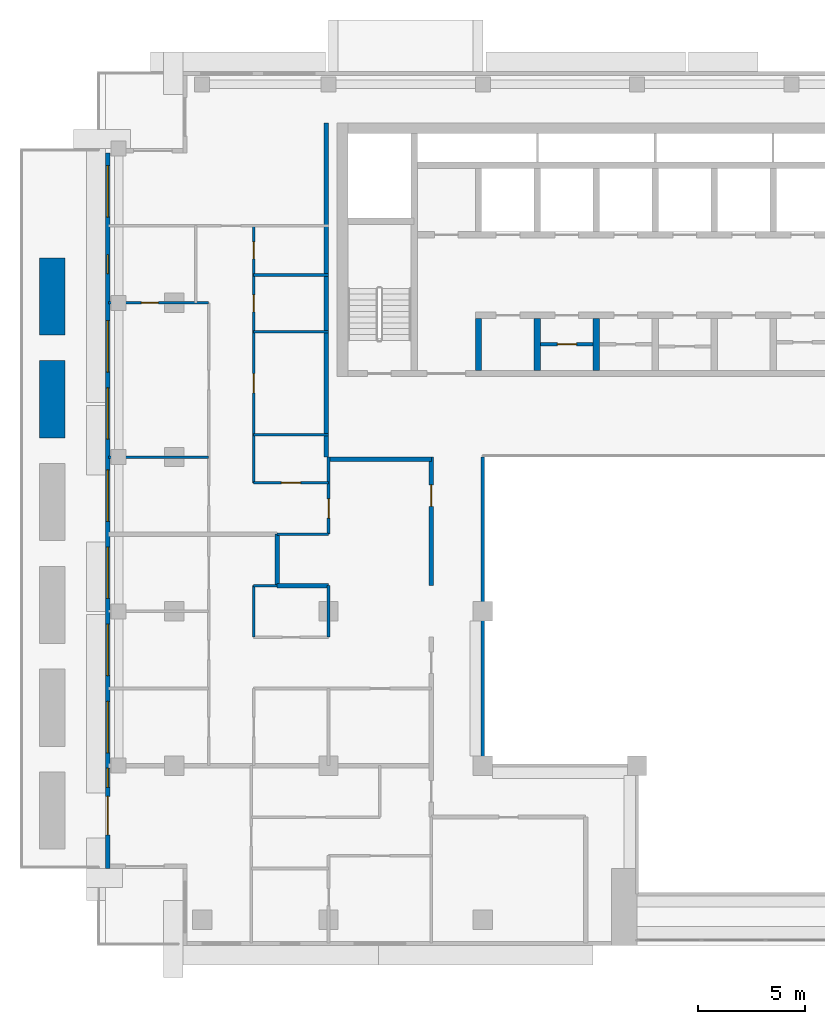
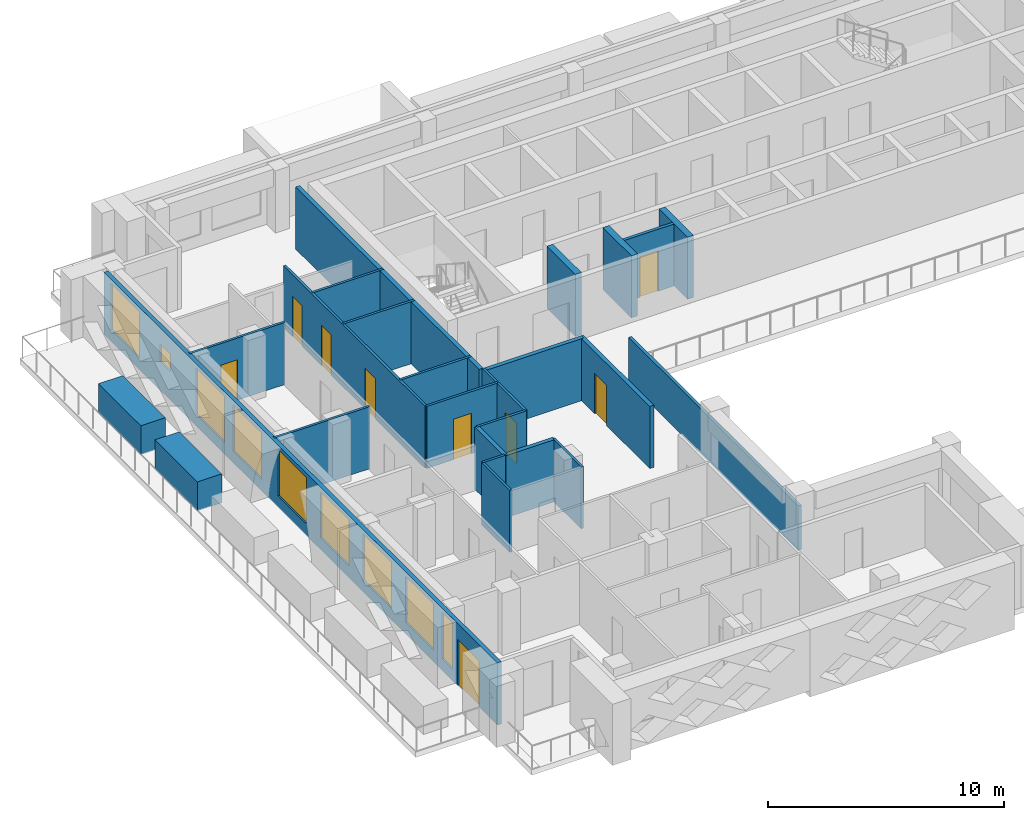
# One storey, part 7 of 19: 25 walls, 9 doors, 9 windows, 18 openings.
"""IFC4 building model written with IfcOpenShell, lengths in metres."""

from ifc_helpers import new_model, si_unit, direction, frame, frame_2d, origin, place, context, subcontext, project, spatial, rectangle, extrude, material, layer, layer_set, type_object, element, fill, save


model = new_model("IFC4")

# Units and contexts
model_context = context("Model", 3, precision=1e-05, world=origin(), true_north=direction((0.0, 1.0)))
body_context = subcontext(model_context, "Body", "Model", "MODEL_VIEW")
ifc_project = project(units=[si_unit("LENGTHUNIT", "METRE"), si_unit("AREAUNIT", "SQUARE_METRE"), si_unit("VOLUMEUNIT", "CUBIC_METRE"), si_unit("PLANEANGLEUNIT", "RADIAN"), si_unit("MASSUNIT", "GRAM", prefix="KILO")], contexts=[model_context])

# Site, building, storey
site_placement = place(None, origin())
site = spatial("IfcSite", under=ifc_project, at=site_placement, CompositionType="ELEMENT")
building_placement = place(site_placement, origin())
building = spatial("IfcBuilding", under=site, at=building_placement, Name="Saffron Iwan Residences", CompositionType="ELEMENT")
storey_placement = place(building_placement, frame((0.0, 0.0, 211.5)))
storey = spatial("IfcBuildingStorey", under=building, at=storey_placement, Name="L56", CompositionType="ELEMENT", Elevation=211.5)

# Wall
ifc_material_1 = material(Name="Fire-rated glazing", Category="glass")
ifc_layer_1 = layer(ifc_material_1, 0.14990234375)
ifc_layer_set_1 = layer_set([ifc_layer_1], Name="Fire-rated glazing")
wall_type_1 = type_object("IfcWallType", Name="Atrium glazed screen 150", PredefinedType="SOLIDWALL", material=ifc_layer_set_1)
wall_1_placement = place(storey_placement, frame((36.0, 48.0, 0.0), z_axis=(0.0, 0.0, 1.0), x_axis=(0.0, 1.0, 0.0)))
element("IfcWall", 1, at=wall_1_placement, inside=storey, type_object=wall_type_1, Name="W-L56-SCREEN-v36-48", PredefinedType="SOLIDWALL", context=body_context, shape_type="SweptSolid", body=[
    extrude(rectangle(XDim=14.39990234375, YDim=0.14990234375, at=frame_2d((7.199951171875, 0.0))), origin(), (0.0, 0.0, 1.0), 2.320068359375),
])

# Wall, opening, door
ifc_material_2 = material(Name="Fire-rated plasterboard partition")
ifc_layer_2 = layer(ifc_material_2, 0.14990234375)
ifc_layer_set_2 = layer_set([ifc_layer_2], Name="Fire-rated plasterboard partition")
wall_type_2 = type_object("IfcWallType", Name="Core partition 150", PredefinedType="PARTITIONING", material=ifc_layer_set_2)
wall_2_placement = place(storey_placement, frame((38.699951171875, 67.66259765625, 0.0), z_axis=(0.0, 0.0, 1.0), x_axis=(1.0, 0.0, 0.0)))
wall_2 = element("IfcWall", 2, at=wall_2_placement, inside=storey, type_object=wall_type_2, Name="Core partition P01", PredefinedType="PARTITIONING", context=body_context, shape_type="SweptSolid", body=[
    extrude(rectangle(XDim=2.449951171875, YDim=0.14990234375, at=frame_2d((1.22509765625, 0.0))), origin(), (0.0, 0.0, 1.0), 3.219970703125),
])
opening_1_placement = place(wall_2_placement, frame((0.77490234375, 0.0, 0.0)))
opening_1 = element("IfcOpeningElement", 3, at=opening_1_placement, cuts=wall_2, Name="Opening SB", PredefinedType="OPENING", context=body_context, shape_type="SweptSolid", body=[
    extrude(rectangle(XDim=0.89990234375, YDim=2.10009765625, at=frame_2d((0.449951171875, 1.050048828125))), frame((0.0, 0.0849609375, 0.0), z_axis=(0.0, -1.0, 0.0), x_axis=(1.0, 0.0, 0.0)), (0.0, 0.0, 1.0), 0.169921875),
])
ifc_material_3 = material(Name="Steel fire door", Category="steel")
door_type_1 = type_object("IfcDoorType", Name="Store door 900", OperationType="NOTDEFINED", PredefinedType="DOOR", material=ifc_material_3)
door_1_placement = place(opening_1_placement, origin())
door_1 = element("IfcDoor", 4, at=door_1_placement, inside=storey, type_object=door_type_1, Name="Door Records store", OperationType="SINGLE_SWING_LEFT", OverallHeight=2.10009765625, OverallWidth=0.89990234375, PredefinedType="DOOR", context=body_context, shape_type="SweptSolid", body=[
    extrude(rectangle(XDim=0.89990234375, YDim=2.10009765625, at=frame_2d((0.449951171875, 1.050048828125))), frame((0.0, 0.02490234375, 0.0), z_axis=(0.0, -1.0, 0.0), x_axis=(1.0, 0.0, 0.0)), (0.0, 0.0, 1.0), 0.050048828125),
])
fill(opening_1, door_1)

# Wall, openings, door, windows
ifc_material_4 = material(Name="Concrete C40/50", Category="concrete")
ifc_layer_3 = layer(ifc_material_4, 0.199951171875)
ifc_layer_set_3 = layer_set([ifc_layer_3], Name="Concrete C40/50")
wall_type_3 = type_object("IfcWallType", Name="EXTERNAL WALL 200", PredefinedType="SOLIDWALL", material=ifc_layer_set_3)
wall_3_placement = place(storey_placement, frame((18.5, 76.60009765625, 0.0), z_axis=(0.0, 0.0, 1.0), x_axis=(0.0, -1.0, 0.0)))
wall_3 = element("IfcWall", 5, at=wall_3_placement, inside=storey, type_object=wall_type_3, Name="External wall L56 F8.0", PredefinedType="SOLIDWALL", context=body_context, shape_type="SweptSolid", body=[
    extrude(rectangle(XDim=33.400146484375, YDim=0.199951171875, at=frame_2d((16.7001953125, 0.0))), origin(), (0.0, 0.0, 1.0), 3.219970703125),
])
opening_2_placement = place(wall_3_placement, frame((30.037109375, 0.0, 0.0)))
opening_2 = element("IfcOpeningElement", 6, at=opening_2_placement, cuts=wall_3, Name="Opening BD1", PredefinedType="OPENING", context=body_context, shape_type="SweptSolid", body=[
    extrude(rectangle(XDim=1.800048828125, YDim=2.39990234375, at=frame_2d((0.89990234375, 1.199951171875))), frame((0.0, 0.10986328125, 0.0), z_axis=(0.0, -1.0, 0.0), x_axis=(1.0, 0.0, 0.0)), (0.0, 0.0, 1.0), 0.219970703125),
])
opening_3_placement = place(wall_3_placement, frame((28.718505859375, 0.0, 0.60009765625)))
opening_3 = element("IfcOpeningElement", 7, at=opening_3_placement, cuts=wall_3, Name="Opening W10", PredefinedType="OPENING", context=body_context, shape_type="SweptSolid", body=[
    extrude(rectangle(XDim=0.89990234375, YDim=2.39990234375, at=frame_2d((0.449951171875, 1.199951171875))), frame((0.0, 0.10986328125, 0.0), z_axis=(0.0, -1.0, 0.0), x_axis=(1.0, 0.0, 0.0)), (0.0, 0.0, 1.0), 0.219970703125),
])
opening_4_placement = place(wall_3_placement, frame((25.60009765625, 0.0, 0.60009765625)))
opening_4 = element("IfcOpeningElement", 8, at=opening_4_placement, cuts=wall_3, Name="Opening W1", PredefinedType="OPENING", context=body_context, shape_type="SweptSolid", body=[
    extrude(rectangle(XDim=2.39990234375, YDim=2.39990234375, at=frame_2d((1.199951171875, 1.199951171875))), frame((0.0, 0.10986328125, 0.0), z_axis=(0.0, -1.0, 0.0), x_axis=(1.0, 0.0, 0.0)), (0.0, 0.0, 1.0), 0.219970703125),
])
opening_5_placement = place(wall_3_placement, frame((22.0, 0.0, 0.60009765625)))
opening_5 = element("IfcOpeningElement", 9, at=opening_5_placement, cuts=wall_3, Name="Opening W1", PredefinedType="OPENING", context=body_context, shape_type="SweptSolid", body=[
    extrude(rectangle(XDim=2.39990234375, YDim=2.39990234375, at=frame_2d((1.199951171875, 1.199951171875))), frame((0.0, 0.10986328125, 0.0), z_axis=(0.0, -1.0, 0.0), x_axis=(1.0, 0.0, 0.0)), (0.0, 0.0, 1.0), 0.219970703125),
])
opening_6_placement = place(wall_3_placement, frame((18.39990234375, 0.0, 0.60009765625)))
opening_6 = element("IfcOpeningElement", 10, at=opening_6_placement, cuts=wall_3, Name="Opening W1", PredefinedType="OPENING", context=body_context, shape_type="SweptSolid", body=[
    extrude(rectangle(XDim=2.39990234375, YDim=2.39990234375, at=frame_2d((1.199951171875, 1.199951171875))), frame((0.0, 0.10986328125, 0.0), z_axis=(0.0, -1.0, 0.0), x_axis=(1.0, 0.0, 0.0)), (0.0, 0.0, 1.0), 0.219970703125),
])
opening_7_placement = place(wall_3_placement, frame((14.800048828125, 0.0, 0.60009765625)))
opening_7 = element("IfcOpeningElement", 11, at=opening_7_placement, cuts=wall_3, Name="Opening W1", PredefinedType="OPENING", context=body_context, shape_type="SweptSolid", body=[
    extrude(rectangle(XDim=2.39990234375, YDim=2.39990234375, at=frame_2d((1.199951171875, 1.199951171875))), frame((0.0, 0.10986328125, 0.0), z_axis=(0.0, -1.0, 0.0), x_axis=(1.0, 0.0, 0.0)), (0.0, 0.0, 1.0), 0.219970703125),
])
opening_8_placement = place(wall_3_placement, frame((7.833251953125, 0.0, 0.60009765625)))
opening_8 = element("IfcOpeningElement", 12, at=opening_8_placement, cuts=wall_3, Name="Opening W1", PredefinedType="OPENING", context=body_context, shape_type="SweptSolid", body=[
    extrude(rectangle(XDim=2.39990234375, YDim=2.39990234375, at=frame_2d((1.199951171875, 1.199951171875))), frame((0.0, 0.10986328125, 0.0), z_axis=(0.0, -1.0, 0.0), x_axis=(1.0, 0.0, 0.0)), (0.0, 0.0, 1.0), 0.219970703125),
])
opening_9_placement = place(wall_3_placement, frame((10.966796875, 0.0, 0.60009765625)))
opening_9 = element("IfcOpeningElement", 13, at=opening_9_placement, cuts=wall_3, Name="Opening W1", PredefinedType="OPENING", context=body_context, shape_type="SweptSolid", body=[
    extrude(rectangle(XDim=2.39990234375, YDim=2.39990234375, at=frame_2d((1.199951171875, 1.199951171875))), frame((0.0, 0.10986328125, 0.0), z_axis=(0.0, -1.0, 0.0), x_axis=(1.0, 0.0, 0.0)), (0.0, 0.0, 1.0), 0.219970703125),
])
opening_10_placement = place(wall_3_placement, frame((4.75, 0.0, 1.5)))
opening_10 = element("IfcOpeningElement", 14, at=opening_10_placement, cuts=wall_3, Name="Opening W6", PredefinedType="OPENING", context=body_context, shape_type="SweptSolid", body=[
    extrude(rectangle(XDim=0.89990234375, YDim=0.89990234375, at=frame_2d((0.449951171875, 0.449951171875))), frame((0.0, 0.10986328125, 0.0), z_axis=(0.0, -1.0, 0.0), x_axis=(1.0, 0.0, 0.0)), (0.0, 0.0, 1.0), 0.219970703125),
])
opening_11_placement = place(wall_3_placement, frame((0.60009765625, 0.0, 0.60009765625)))
opening_11 = element("IfcOpeningElement", 15, at=opening_11_placement, cuts=wall_3, Name="Opening W1", PredefinedType="OPENING", context=body_context, shape_type="SweptSolid", body=[
    extrude(rectangle(XDim=2.39990234375, YDim=2.39990234375, at=frame_2d((1.199951171875, 1.199951171875))), frame((0.0, 0.10986328125, 0.0), z_axis=(0.0, -1.0, 0.0), x_axis=(1.0, 0.0, 0.0)), (0.0, 0.0, 1.0), 0.219970703125),
])
ifc_material_5 = material(Name="Clear glass, laminated double glazed", Category="glass")
door_type_2 = type_object("IfcDoorType", Name="BALCONY DOOR 1800 x 2400", OperationType="DOUBLE_DOOR_SLIDING", PredefinedType="DOOR", material=ifc_material_5)
door_2_placement = place(opening_2_placement, origin())
door_2 = element("IfcDoor", 16, at=door_2_placement, inside=storey, type_object=door_type_2, Name="Balcony door L56 F8.0", OperationType="DOUBLE_DOOR_SLIDING", OverallHeight=2.39990234375, OverallWidth=1.800048828125, PredefinedType="DOOR", context=body_context, shape_type="SweptSolid", body=[
    extrude(rectangle(XDim=1.800048828125, YDim=2.39990234375, at=frame_2d((0.89990234375, 1.199951171875))), frame((0.0, 0.02490234375, 0.0), z_axis=(0.0, -1.0, 0.0), x_axis=(1.0, 0.0, 0.0)), (0.0, 0.0, 1.0), 0.050048828125),
])
fill(opening_2, door_2)
window_type_1 = type_object("IfcWindowType", Name="WINDOW 2400 x 2400", PartitioningType="DOUBLE_PANEL_VERTICAL", PredefinedType="WINDOW", material=ifc_material_5)
window_1_placement = place(opening_4_placement, origin())
window_1 = element("IfcWindow", 17, at=window_1_placement, inside=storey, type_object=window_type_1, Name="Window L56 F8.2", OverallHeight=2.39990234375, OverallWidth=2.39990234375, PartitioningType="DOUBLE_PANEL_VERTICAL", PredefinedType="WINDOW", context=body_context, shape_type="SweptSolid", body=[
    extrude(rectangle(XDim=2.39990234375, YDim=2.39990234375, at=frame_2d((1.199951171875, 1.199951171875))), frame((0.0, 0.030029296875, 0.0), z_axis=(0.0, -1.0, 0.0), x_axis=(1.0, 0.0, 0.0)), (0.0, 0.0, 1.0), 0.06005859375),
])
fill(opening_4, window_1)
window_2_placement = place(opening_5_placement, origin())
window_2 = element("IfcWindow", 18, at=window_2_placement, inside=storey, type_object=window_type_1, Name="Window L56 F8.3", OverallHeight=2.39990234375, OverallWidth=2.39990234375, PartitioningType="DOUBLE_PANEL_VERTICAL", PredefinedType="WINDOW", context=body_context, shape_type="SweptSolid", body=[
    extrude(rectangle(XDim=2.39990234375, YDim=2.39990234375, at=frame_2d((1.199951171875, 1.199951171875))), frame((0.0, 0.030029296875, 0.0), z_axis=(0.0, -1.0, 0.0), x_axis=(1.0, 0.0, 0.0)), (0.0, 0.0, 1.0), 0.06005859375),
])
fill(opening_5, window_2)
window_3_placement = place(opening_6_placement, origin())
window_3 = element("IfcWindow", 19, at=window_3_placement, inside=storey, type_object=window_type_1, Name="Window L56 F8.4", OverallHeight=2.39990234375, OverallWidth=2.39990234375, PartitioningType="DOUBLE_PANEL_VERTICAL", PredefinedType="WINDOW", context=body_context, shape_type="SweptSolid", body=[
    extrude(rectangle(XDim=2.39990234375, YDim=2.39990234375, at=frame_2d((1.199951171875, 1.199951171875))), frame((0.0, 0.030029296875, 0.0), z_axis=(0.0, -1.0, 0.0), x_axis=(1.0, 0.0, 0.0)), (0.0, 0.0, 1.0), 0.06005859375),
])
fill(opening_6, window_3)
window_4_placement = place(opening_7_placement, origin())
window_4 = element("IfcWindow", 20, at=window_4_placement, inside=storey, type_object=window_type_1, Name="Window L56 F8.5", OverallHeight=2.39990234375, OverallWidth=2.39990234375, PartitioningType="DOUBLE_PANEL_VERTICAL", PredefinedType="WINDOW", context=body_context, shape_type="SweptSolid", body=[
    extrude(rectangle(XDim=2.39990234375, YDim=2.39990234375, at=frame_2d((1.199951171875, 1.199951171875))), frame((0.0, 0.030029296875, 0.0), z_axis=(0.0, -1.0, 0.0), x_axis=(1.0, 0.0, 0.0)), (0.0, 0.0, 1.0), 0.06005859375),
])
fill(opening_7, window_4)
window_5_placement = place(opening_8_placement, origin())
window_5 = element("IfcWindow", 21, at=window_5_placement, inside=storey, type_object=window_type_1, Name="Window L56 F8.6", OverallHeight=2.39990234375, OverallWidth=2.39990234375, PartitioningType="DOUBLE_PANEL_VERTICAL", PredefinedType="WINDOW", context=body_context, shape_type="SweptSolid", body=[
    extrude(rectangle(XDim=2.39990234375, YDim=2.39990234375, at=frame_2d((1.199951171875, 1.199951171875))), frame((0.0, 0.030029296875, 0.0), z_axis=(0.0, -1.0, 0.0), x_axis=(1.0, 0.0, 0.0)), (0.0, 0.0, 1.0), 0.06005859375),
])
fill(opening_8, window_5)
window_6_placement = place(opening_9_placement, origin())
window_6 = element("IfcWindow", 22, at=window_6_placement, inside=storey, type_object=window_type_1, Name="Window L56 F8.7", OverallHeight=2.39990234375, OverallWidth=2.39990234375, PartitioningType="DOUBLE_PANEL_VERTICAL", PredefinedType="WINDOW", context=body_context, shape_type="SweptSolid", body=[
    extrude(rectangle(XDim=2.39990234375, YDim=2.39990234375, at=frame_2d((1.199951171875, 1.199951171875))), frame((0.0, 0.030029296875, 0.0), z_axis=(0.0, -1.0, 0.0), x_axis=(1.0, 0.0, 0.0)), (0.0, 0.0, 1.0), 0.06005859375),
])
fill(opening_9, window_6)
window_7_placement = place(opening_11_placement, origin())
window_7 = element("IfcWindow", 23, at=window_7_placement, inside=storey, type_object=window_type_1, Name="Window L56 F8.9", OverallHeight=2.39990234375, OverallWidth=2.39990234375, PartitioningType="DOUBLE_PANEL_VERTICAL", PredefinedType="WINDOW", context=body_context, shape_type="SweptSolid", body=[
    extrude(rectangle(XDim=2.39990234375, YDim=2.39990234375, at=frame_2d((1.199951171875, 1.199951171875))), frame((0.0, 0.030029296875, 0.0), z_axis=(0.0, -1.0, 0.0), x_axis=(1.0, 0.0, 0.0)), (0.0, 0.0, 1.0), 0.06005859375),
])
fill(opening_11, window_7)
window_type_2 = type_object("IfcWindowType", Name="WINDOW 900 x 2400", PartitioningType="SINGLE_PANEL", PredefinedType="WINDOW", material=ifc_material_5)
window_8_placement = place(opening_3_placement, origin())
window_8 = element("IfcWindow", 24, at=window_8_placement, inside=storey, type_object=window_type_2, Name="Window L56 F8.1", OverallHeight=2.39990234375, OverallWidth=0.89990234375, PartitioningType="SINGLE_PANEL", PredefinedType="WINDOW", context=body_context, shape_type="SweptSolid", body=[
    extrude(rectangle(XDim=0.89990234375, YDim=2.39990234375, at=frame_2d((0.449951171875, 1.199951171875))), frame((0.0, 0.030029296875, 0.0), z_axis=(0.0, -1.0, 0.0), x_axis=(1.0, 0.0, 0.0)), (0.0, 0.0, 1.0), 0.06005859375),
])
fill(opening_3, window_8)
window_type_3 = type_object("IfcWindowType", Name="WINDOW 900 x 900 BATH", PartitioningType="SINGLE_PANEL", PredefinedType="WINDOW", material=ifc_material_5)
window_9_placement = place(opening_10_placement, origin())
window_9 = element("IfcWindow", 25, at=window_9_placement, inside=storey, type_object=window_type_3, Name="Window L56 F8.8", OverallHeight=0.89990234375, OverallWidth=0.89990234375, PartitioningType="SINGLE_PANEL", PredefinedType="WINDOW", context=body_context, shape_type="SweptSolid", body=[
    extrude(rectangle(XDim=0.89990234375, YDim=0.89990234375, at=frame_2d((0.449951171875, 0.449951171875))), frame((0.0, 0.030029296875, 0.0), z_axis=(0.0, -1.0, 0.0), x_axis=(1.0, 0.0, 0.0)), (0.0, 0.0, 1.0), 0.06005859375),
])
fill(opening_10, window_9)

# Walls
ifc_material_6 = material(Name="Fire-rated gypsum board wall")
ifc_layer_4 = layer(ifc_material_6, 0.199951171875)
ifc_layer_set_4 = layer_set([ifc_layer_4], Name="Fire-rated gypsum board wall")
wall_type_4 = type_object("IfcWallType", Name="Flat demising wall 200", PredefinedType="SOLIDWALL", material=ifc_layer_set_4)
for number, where, z_axis, x_axis, name in (
    (26, (26.39990234375, 56.39990234375, 0.0), (0.0, 0.0, 1.0), (1.0, 0.0, 0.0), "W-L56-DEMISE-h56.4-26.4"),
    (27, (26.39990234375, 56.39990234375, 0.0), (0.0, 0.0, 1.0), (0.0, 1.0, 0.0), "W-L56-DEMISE-v26.4-56.4"),
):
    element("IfcWall", number, at=place(storey_placement, frame(where, z_axis=z_axis, x_axis=x_axis)), inside=storey, type_object=wall_type_4, Name=name, PredefinedType="SOLIDWALL", context=body_context, shape_type="SweptSolid", body=[
        extrude(rectangle(XDim=2.400146484375, YDim=0.199951171875, at=frame_2d((1.2001953125, 0.0))), origin(), (0.0, 0.0, 1.0), 3.219970703125),
    ])
ifc_material_7 = material(Name="Gypsum board partition")
ifc_layer_5 = layer(ifc_material_7, 0.1201171875)
ifc_layer_set_5 = layer_set([ifc_layer_5], Name="Gypsum board partition")
wall_type_5 = type_object("IfcWallType", Name="Flat partition 120", PredefinedType="PARTITIONING", material=ifc_layer_set_5)
wall_4_placement = place(storey_placement, frame((25.300048828125, 56.39990234375, 0.0), z_axis=(0.0, 0.0, 1.0), x_axis=(1.0, 0.0, 0.0)))
element("IfcWall", 28, at=wall_4_placement, inside=storey, type_object=wall_type_5, Name="W-L56-PART-h56.4-25.3", PredefinedType="PARTITIONING", context=body_context, shape_type="SweptSolid", body=[
    extrude(rectangle(XDim=1.099853515625, YDim=0.1201171875, at=frame_2d((0.5498046875, 0.0))), origin(), (0.0, 0.0, 1.0), 3.219970703125),
])
wall_5_placement = place(storey_placement, frame((26.39990234375, 58.800048828125, 0.0), z_axis=(0.0, 0.0, 1.0), x_axis=(1.0, 0.0, 0.0)))
element("IfcWall", 29, at=wall_5_placement, inside=storey, type_object=wall_type_5, Name="W-L56-PART-h58.8-26.4", PredefinedType="PARTITIONING", context=body_context, shape_type="SweptSolid", body=[
    extrude(rectangle(XDim=2.400146484375, YDim=0.1201171875, at=frame_2d((1.2001953125, 0.0))), origin(), (0.0, 0.0, 1.0), 3.219970703125),
])

# Wall, opening, door
wall_6_placement = place(storey_placement, frame((25.300048828125, 61.199951171875, 0.0), z_axis=(0.0, 0.0, 1.0), x_axis=(1.0, 0.0, 0.0)))
wall_6 = element("IfcWall", 30, at=wall_6_placement, inside=storey, type_object=wall_type_5, Name="W-L56-PART-h61.2-25.3", PredefinedType="PARTITIONING", context=body_context, shape_type="SweptSolid", body=[
    extrude(rectangle(XDim=3.5, YDim=0.1201171875, at=frame_2d((1.75, 0.0))), origin(), (0.0, 0.0, 1.0), 3.219970703125),
])
opening_12_placement = place(wall_6_placement, frame((1.300048828125, 0.0, 0.0)))
opening_12 = element("IfcOpeningElement", 31, at=opening_12_placement, cuts=wall_6, Name="Opening FD2", PredefinedType="OPENING", context=body_context, shape_type="SweptSolid", body=[
    extrude(rectangle(XDim=0.89990234375, YDim=2.10009765625, at=frame_2d((0.449951171875, 1.050048828125))), frame((0.0, 0.070068359375, 0.0), z_axis=(0.0, -1.0, 0.0), x_axis=(1.0, 0.0, 0.0)), (0.0, 0.0, 1.0), 0.14013671875),
])
ifc_material_8 = material(Name="Timber door", Category="wood")
door_type_3 = type_object("IfcDoorType", Name="Flat door 900", OperationType="NOTDEFINED", PredefinedType="DOOR", material=ifc_material_8)
door_3_placement = place(opening_12_placement, origin())
door_3 = element("IfcDoor", 32, at=door_3_placement, inside=storey, type_object=door_type_3, Name="Door L56-026", OperationType="SINGLE_SWING_RIGHT", OverallHeight=2.10009765625, OverallWidth=0.89990234375, PredefinedType="DOOR", context=body_context, shape_type="SweptSolid", body=[
    extrude(rectangle(XDim=0.89990234375, YDim=2.10009765625, at=frame_2d((0.449951171875, 1.050048828125))), frame((0.0, 0.02490234375, 0.0), z_axis=(0.0, -1.0, 0.0), x_axis=(1.0, 0.0, 0.0)), (0.0, 0.0, 1.0), 0.050048828125),
])
fill(opening_12, door_3)

# Walls
wall_7_placement = place(storey_placement, frame((18.52490234375, 62.39990234375, 0.0), z_axis=(0.0, 0.0, 1.0), x_axis=(1.0, 0.0, 0.0)))
element("IfcWall", 33, at=wall_7_placement, inside=storey, type_object=wall_type_5, Name="W-L56-PART-h62.4-18.525", PredefinedType="PARTITIONING", context=body_context, shape_type="SweptSolid", body=[
    extrude(rectangle(XDim=4.675048828125, YDim=0.1201171875, at=frame_2d((2.33740234375, 0.0))), origin(), (0.0, 0.0, 1.0), 3.219970703125),
])
for number, where, z_axis, x_axis, name in (
    (34, (25.300048828125, 63.449951171875, 0.0), (0.0, 0.0, 1.0), (1.0, 0.0, 0.0), "W-L56-PART-h63.45-25.3"),
    (35, (25.300048828125, 68.25, 0.0), (0.0, 0.0, 1.0), (1.0, 0.0, 0.0), "W-L56-PART-h68.25-25.3"),
):
    element("IfcWall", number, at=place(storey_placement, frame(where, z_axis=z_axis, x_axis=x_axis)), inside=storey, type_object=wall_type_5, Name=name, PredefinedType="PARTITIONING", context=body_context, shape_type="SweptSolid", body=[
        extrude(rectangle(XDim=3.5, YDim=0.1201171875, at=frame_2d((1.75, 0.0))), origin(), (0.0, 0.0, 1.0), 3.219970703125),
    ])

# Wall, opening, door
wall_8_placement = place(storey_placement, frame((18.52490234375, 69.60009765625, 0.0), z_axis=(0.0, 0.0, 1.0), x_axis=(1.0, 0.0, 0.0)))
wall_8 = element("IfcWall", 36, at=wall_8_placement, inside=storey, type_object=wall_type_5, Name="W-L56-PART-h69.6-18.525", PredefinedType="PARTITIONING", context=body_context, shape_type="SweptSolid", body=[
    extrude(rectangle(XDim=4.675048828125, YDim=0.1201171875, at=frame_2d((2.33740234375, 0.0))), origin(), (0.0, 0.0, 1.0), 3.219970703125),
])
opening_13_placement = place(wall_8_placement, frame((1.53759765625, 0.0, 0.0)))
opening_13 = element("IfcOpeningElement", 37, at=opening_13_placement, cuts=wall_8, Name="Opening FD3", PredefinedType="OPENING", context=body_context, shape_type="SweptSolid", body=[
    extrude(rectangle(XDim=0.800048828125, YDim=2.10009765625, at=frame_2d((0.39990234375, 1.050048828125))), frame((0.0, 0.070068359375, 0.0), z_axis=(0.0, -1.0, 0.0), x_axis=(1.0, 0.0, 0.0)), (0.0, 0.0, 1.0), 0.14013671875),
])
door_type_4 = type_object("IfcDoorType", Name="Bathroom door 800", OperationType="NOTDEFINED", PredefinedType="DOOR", material=ifc_material_8)
door_4_placement = place(opening_13_placement, origin())
door_4 = element("IfcDoor", 38, at=door_4_placement, inside=storey, type_object=door_type_4, Name="Door L56-024", OperationType="SINGLE_SWING_RIGHT", OverallHeight=2.10009765625, OverallWidth=0.800048828125, PredefinedType="DOOR", context=body_context, shape_type="SweptSolid", body=[
    extrude(rectangle(XDim=0.800048828125, YDim=2.10009765625, at=frame_2d((0.39990234375, 1.050048828125))), frame((0.0, 0.02490234375, 0.0), z_axis=(0.0, -1.0, 0.0), x_axis=(1.0, 0.0, 0.0)), (0.0, 0.0, 1.0), 0.050048828125),
])
fill(opening_13, door_4)

# Walls
wall_9_placement = place(storey_placement, frame((25.300048828125, 70.89990234375, 0.0), z_axis=(0.0, 0.0, 1.0), x_axis=(1.0, 0.0, 0.0)))
element("IfcWall", 39, at=wall_9_placement, inside=storey, type_object=wall_type_5, Name="W-L56-PART-h70.9-25.3", PredefinedType="PARTITIONING", context=body_context, shape_type="SweptSolid", body=[
    extrude(rectangle(XDim=3.5, YDim=0.1201171875, at=frame_2d((1.75, 0.0))), origin(), (0.0, 0.0, 1.0), 3.219970703125),
])
wall_10_placement = place(storey_placement, frame((25.300048828125, 54.0, 0.0), z_axis=(0.0, 0.0, 1.0), x_axis=(0.0, 1.0, 0.0)))
element("IfcWall", 40, at=wall_10_placement, inside=storey, type_object=wall_type_5, Name="W-L56-PART-v25.3-54", PredefinedType="PARTITIONING", context=body_context, shape_type="SweptSolid", body=[
    extrude(rectangle(XDim=2.39990234375, YDim=0.1201171875, at=frame_2d((1.199951171875, 0.0))), origin(), (0.0, 0.0, 1.0), 3.219970703125),
])

# Wall, openings, doors
wall_11_placement = place(storey_placement, frame((25.300048828125, 61.199951171875, 0.0), z_axis=(0.0, 0.0, 1.0), x_axis=(0.0, 1.0, 0.0)))
wall_11 = element("IfcWall", 41, at=wall_11_placement, inside=storey, type_object=wall_type_5, Name="W-L56-PART-v25.3-61.2", PredefinedType="PARTITIONING", context=body_context, shape_type="SweptSolid", body=[
    extrude(rectangle(XDim=12.0, YDim=0.1201171875, at=frame_2d((6.0, 0.0))), origin(), (0.0, 0.0, 1.0), 3.219970703125),
])
opening_14_placement = place(wall_11_placement, frame((4.199951171875, 0.0, 0.0)))
opening_14 = element("IfcOpeningElement", 42, at=opening_14_placement, cuts=wall_11, Name="Opening FD2", PredefinedType="OPENING", context=body_context, shape_type="SweptSolid", body=[
    extrude(rectangle(XDim=0.89990234375, YDim=2.10009765625, at=frame_2d((0.449951171875, 1.050048828125))), frame((0.0, 0.070068359375, 0.0), z_axis=(0.0, -1.0, 0.0), x_axis=(1.0, 0.0, 0.0)), (0.0, 0.0, 1.0), 0.14013671875),
])
opening_15_placement = place(wall_11_placement, frame((7.97509765625, 0.0, 0.0)))
opening_15 = element("IfcOpeningElement", 43, at=opening_15_placement, cuts=wall_11, Name="Opening FD3", PredefinedType="OPENING", context=body_context, shape_type="SweptSolid", body=[
    extrude(rectangle(XDim=0.800048828125, YDim=2.10009765625, at=frame_2d((0.39990234375, 1.050048828125))), frame((0.0, 0.070068359375, 0.0), z_axis=(0.0, -1.0, 0.0), x_axis=(1.0, 0.0, 0.0)), (0.0, 0.0, 1.0), 0.14013671875),
])
opening_16_placement = place(wall_11_placement, frame((10.449951171875, 0.0, 0.0)))
opening_16 = element("IfcOpeningElement", 44, at=opening_16_placement, cuts=wall_11, Name="Opening FD3", PredefinedType="OPENING", context=body_context, shape_type="SweptSolid", body=[
    extrude(rectangle(XDim=0.800048828125, YDim=2.10009765625, at=frame_2d((0.39990234375, 1.050048828125))), frame((0.0, 0.070068359375, 0.0), z_axis=(0.0, -1.0, 0.0), x_axis=(1.0, 0.0, 0.0)), (0.0, 0.0, 1.0), 0.14013671875),
])
door_5_placement = place(opening_15_placement, origin())
door_5 = element("IfcDoor", 45, at=door_5_placement, inside=storey, type_object=door_type_4, Name="Door L56-028", OperationType="SINGLE_SWING_LEFT", OverallHeight=2.10009765625, OverallWidth=0.800048828125, PredefinedType="DOOR", context=body_context, shape_type="SweptSolid", body=[
    extrude(rectangle(XDim=0.800048828125, YDim=2.10009765625, at=frame_2d((0.39990234375, 1.050048828125))), frame((0.0, 0.02490234375, 0.0), z_axis=(0.0, -1.0, 0.0), x_axis=(1.0, 0.0, 0.0)), (0.0, 0.0, 1.0), 0.050048828125),
])
fill(opening_15, door_5)
door_6_placement = place(opening_16_placement, origin())
door_6 = element("IfcDoor", 46, at=door_6_placement, inside=storey, type_object=door_type_4, Name="Door L56-029", OperationType="SINGLE_SWING_RIGHT", OverallHeight=2.10009765625, OverallWidth=0.800048828125, PredefinedType="DOOR", context=body_context, shape_type="SweptSolid", body=[
    extrude(rectangle(XDim=0.800048828125, YDim=2.10009765625, at=frame_2d((0.39990234375, 1.050048828125))), frame((0.0, 0.02490234375, 0.0), z_axis=(0.0, -1.0, 0.0), x_axis=(1.0, 0.0, 0.0)), (0.0, 0.0, 1.0), 0.050048828125),
])
fill(opening_16, door_6)
door_7_placement = place(opening_14_placement, origin())
door_7 = element("IfcDoor", 47, at=door_7_placement, inside=storey, type_object=door_type_3, Name="Door L56-027", OperationType="SINGLE_SWING_LEFT", OverallHeight=2.10009765625, OverallWidth=0.89990234375, PredefinedType="DOOR", context=body_context, shape_type="SweptSolid", body=[
    extrude(rectangle(XDim=0.89990234375, YDim=2.10009765625, at=frame_2d((0.449951171875, 1.050048828125))), frame((0.0, 0.02490234375, 0.0), z_axis=(0.0, -1.0, 0.0), x_axis=(1.0, 0.0, 0.0)), (0.0, 0.0, 1.0), 0.050048828125),
])
fill(opening_14, door_7)

# Wall
wall_12_placement = place(storey_placement, frame((28.800048828125, 54.0, 0.0), z_axis=(0.0, 0.0, 1.0), x_axis=(0.0, 1.0, 0.0)))
element("IfcWall", 48, at=wall_12_placement, inside=storey, type_object=wall_type_5, Name="W-L56-PART-v28.8-54", PredefinedType="PARTITIONING", context=body_context, shape_type="SweptSolid", body=[
    extrude(rectangle(XDim=2.39990234375, YDim=0.1201171875, at=frame_2d((1.199951171875, 0.0))), origin(), (0.0, 0.0, 1.0), 3.219970703125),
])

# Wall, opening, door
wall_13_placement = place(storey_placement, frame((28.800048828125, 58.800048828125, 0.0), z_axis=(0.0, 0.0, 1.0), x_axis=(0.0, 1.0, 0.0)))
wall_13 = element("IfcWall", 49, at=wall_13_placement, inside=storey, type_object=wall_type_5, Name="W-L56-PART-v28.8-58.8", PredefinedType="PARTITIONING", context=body_context, shape_type="SweptSolid", body=[
    extrude(rectangle(XDim=3.599853515625, YDim=0.1201171875, at=frame_2d((1.7998046875, 0.0))), origin(), (0.0, 0.0, 1.0), 3.219970703125),
])
opening_17_placement = place(wall_13_placement, frame((0.75, 0.0, 0.0)))
opening_17 = element("IfcOpeningElement", 50, at=opening_17_placement, cuts=wall_13, Name="Opening FD2", PredefinedType="OPENING", context=body_context, shape_type="SweptSolid", body=[
    extrude(rectangle(XDim=0.89990234375, YDim=2.10009765625, at=frame_2d((0.449951171875, 1.050048828125))), frame((0.0, 0.070068359375, 0.0), z_axis=(0.0, -1.0, 0.0), x_axis=(1.0, 0.0, 0.0)), (0.0, 0.0, 1.0), 0.14013671875),
])
door_8_placement = place(opening_17_placement, origin())
door_8 = element("IfcDoor", 51, at=door_8_placement, inside=storey, type_object=door_type_3, Name="Door L56-020", OperationType="SINGLE_SWING_RIGHT", OverallHeight=2.10009765625, OverallWidth=0.89990234375, PredefinedType="DOOR", context=body_context, shape_type="SweptSolid", body=[
    extrude(rectangle(XDim=0.89990234375, YDim=2.10009765625, at=frame_2d((0.449951171875, 1.050048828125))), frame((0.0, 0.02490234375, 0.0), z_axis=(0.0, -1.0, 0.0), x_axis=(1.0, 0.0, 0.0)), (0.0, 0.0, 1.0), 0.050048828125),
])
fill(opening_17, door_8)

# Walls
ifc_layer_6 = layer(ifc_material_6, 0.199951171875)
ifc_layer_set_6 = layer_set([ifc_layer_6], Name="Fire-rated gypsum board wall")
wall_type_6 = type_object("IfcWallType", Name="Gallery wall 200", PredefinedType="SOLIDWALL", material=ifc_layer_set_6)
wall_14_placement = place(storey_placement, frame((28.800048828125, 62.300048828125, 0.0), z_axis=(0.0, 0.0, 1.0), x_axis=(1.0, 0.0, 0.0)))
element("IfcWall", 52, at=wall_14_placement, inside=storey, type_object=wall_type_6, Name="W-L56-CORR-h62.4-28.8", PredefinedType="SOLIDWALL", context=body_context, shape_type="SweptSolid", body=[
    extrude(rectangle(XDim=4.800048828125, YDim=0.199951171875, at=frame_2d((2.39990234375, 0.0))), origin(), (0.0, 0.0, 1.0), 3.219970703125),
])
wall_15_placement = place(storey_placement, frame((28.699951171875, 62.39990234375, 0.0), z_axis=(0.0, 0.0, 1.0), x_axis=(0.0, 1.0, 0.0)))
element("IfcWall", 53, at=wall_15_placement, inside=storey, type_object=wall_type_6, Name="W-L56-CORR-v28.8-62.4", PredefinedType="SOLIDWALL", context=body_context, shape_type="SweptSolid", body=[
    extrude(rectangle(XDim=15.60009765625, YDim=0.199951171875, at=frame_2d((7.800048828125, 0.0))), origin(), (0.0, 0.0, 1.0), 3.219970703125),
])

# Wall, opening, door
wall_16_placement = place(storey_placement, frame((33.60009765625, 56.39990234375, 0.0), z_axis=(0.0, 0.0, 1.0), x_axis=(0.0, 1.0, 0.0)))
wall_16 = element("IfcWall", 54, at=wall_16_placement, inside=storey, type_object=wall_type_6, Name="W-L56-CORR-v33.6-56.4", PredefinedType="SOLIDWALL", context=body_context, shape_type="SweptSolid", body=[
    extrude(rectangle(XDim=6.0, YDim=0.199951171875, at=frame_2d((3.0, 0.0))), origin(), (0.0, 0.0, 1.0), 3.219970703125),
])
opening_18_placement = place(wall_16_placement, frame((3.699951171875, 0.0, 0.0)))
opening_18 = element("IfcOpeningElement", 55, at=opening_18_placement, cuts=wall_16, Name="Opening FD5", PredefinedType="OPENING", context=body_context, shape_type="SweptSolid", body=[
    extrude(rectangle(XDim=1.0, YDim=2.10009765625, at=frame_2d((0.5, 1.050048828125))), frame((0.0, 0.10986328125, 0.0), z_axis=(0.0, -1.0, 0.0), x_axis=(1.0, 0.0, 0.0)), (0.0, 0.0, 1.0), 0.219970703125),
])
ifc_material_9 = material(Name="Fire-rated timber door", Category="wood")
door_type_5 = type_object("IfcDoorType", Name="Lobby door 1000", OperationType="NOTDEFINED", PredefinedType="DOOR", material=ifc_material_9)
door_9_placement = place(opening_18_placement, origin())
door_9 = element("IfcDoor", 56, at=door_9_placement, inside=storey, type_object=door_type_5, Name="Door L56-021", OperationType="SINGLE_SWING_LEFT", OverallHeight=2.10009765625, OverallWidth=1.0, PredefinedType="DOOR", context=body_context, shape_type="SweptSolid", body=[
    extrude(rectangle(XDim=1.0, YDim=2.10009765625, at=frame_2d((0.5, 1.050048828125))), frame((0.0, 0.02490234375, 0.0), z_axis=(0.0, -1.0, 0.0), x_axis=(1.0, 0.0, 0.0)), (0.0, 0.0, 1.0), 0.050048828125),
])
fill(opening_18, door_9)

# Walls
ifc_layer_7 = layer(ifc_material_4, 1.199951171875)
ifc_layer_set_7 = layer_set([ifc_layer_7], Name="Concrete C40/50")
wall_type_7 = type_object("IfcWallType", Name="SKY GARDEN PLANTER 1200", PredefinedType="STANDARD", material=ifc_layer_set_7)
for number, where, z_axis, x_axis, name in (
    (57, (15.89990234375, 63.300048828125, 0.0), (0.0, 0.0, 1.0), (0.0, 1.0, 0.0), "PLANTER terrace 18"),
    (58, (15.89990234375, 68.10009765625, 0.0), (0.0, 0.0, 1.0), (0.0, 1.0, 0.0), "PLANTER terrace 19"),
):
    element("IfcWall", number, at=place(storey_placement, frame(where, z_axis=z_axis, x_axis=x_axis)), inside=storey, type_object=wall_type_7, Name=name, PredefinedType="STANDARD", context=body_context, shape_type="SweptSolid", body=[
        extrude(rectangle(XDim=3.599853515625, YDim=1.199951171875, at=frame_2d((1.7998046875, 0.0))), origin(), (0.0, 0.0, 1.0), 1.5),
    ])
ifc_layer_8 = layer(ifc_material_4, 0.300048828125)
ifc_layer_set_8 = layer_set([ifc_layer_8], Name="Concrete C40/50")
wall_type_8 = type_object("IfcWallType", Name="WALL CORE 300 C40/50 3220 HIGH", PredefinedType="SHEAR", material=ifc_layer_set_8)
for number, where, z_axis, x_axis, name in (
    (59, (35.800048828125, 66.449951171875, 0.0), (0.0, 0.0, 1.0), (0.0, 1.0, 0.0), "Core wall"),
    (60, (38.550048828125, 66.449951171875, 0.0), (0.0, 0.0, 1.0), (0.0, 1.0, 0.0), "Core wall"),
    (61, (41.300048828125, 66.449951171875, 0.0), (0.0, 0.0, 1.0), (0.0, 1.0, 0.0), "Core wall"),
):
    element("IfcWall", number, at=place(storey_placement, frame(where, z_axis=z_axis, x_axis=x_axis)), inside=storey, type_object=wall_type_8, Name=name, PredefinedType="SHEAR", context=body_context, shape_type="SweptSolid", body=[
        extrude(rectangle(XDim=2.425048828125, YDim=0.300048828125, at=frame_2d((1.21240234375, 0.0))), origin(), (0.0, 0.0, 1.0), 3.219970703125),
    ])

save(model, "model.ifc")
